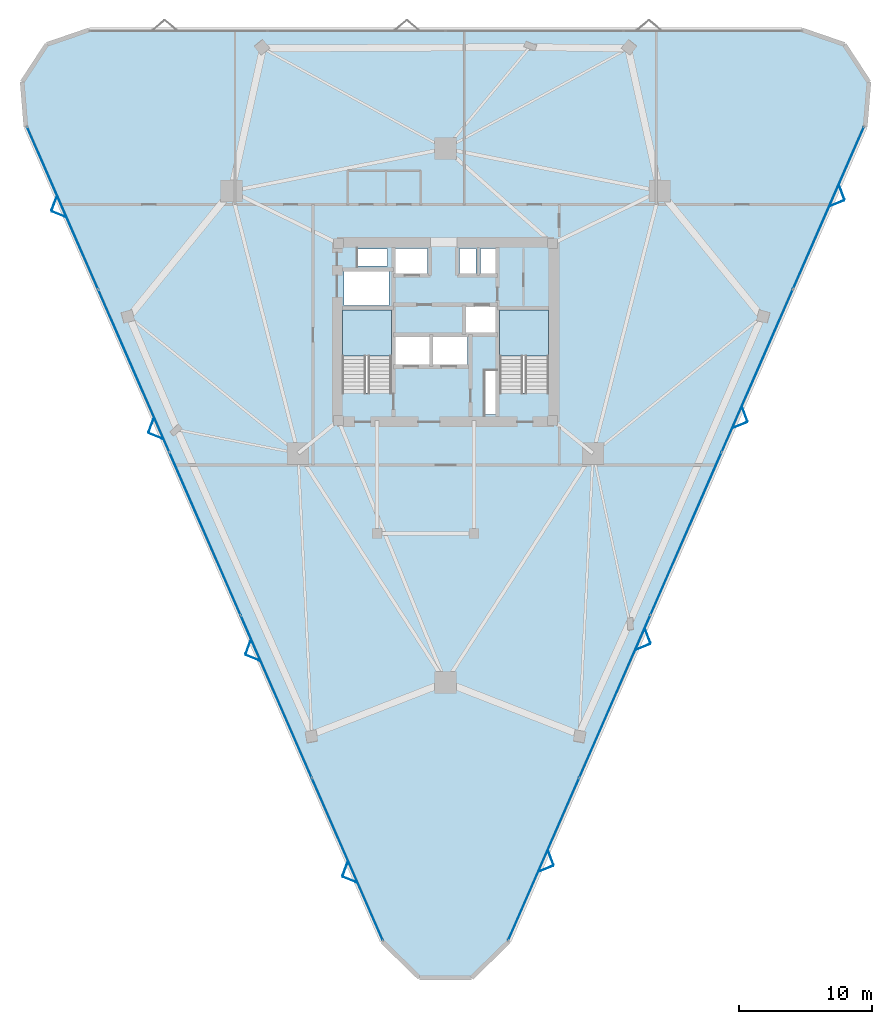
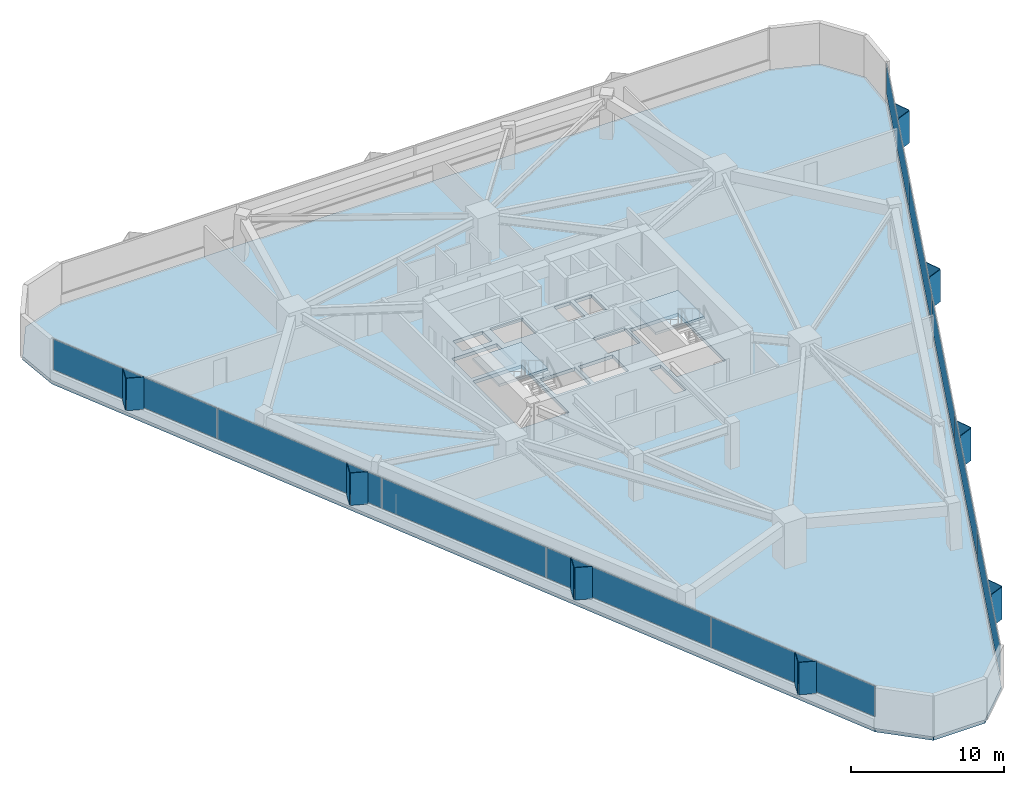
# One storey, part 13 of 19: 26 plates, 3 slabs, 4 elements without a shape of their own.
"""IFC4 building model written with IfcOpenShell, lengths in metres."""

from ifc_helpers import new_model, si_unit, direction, frame, origin, origin_2d, place, context, subcontext, project, spatial, polyline, rectangle, outline, extrude, material, layer, layer_set, type_object, element, aggregate, save


model = new_model("IFC4")

# Units and contexts
model_context = context("Model", 3, precision=1e-05, world=origin(), true_north=direction((0.0, 1.0)))
body_context = subcontext(model_context, "Body", "Model", "MODEL_VIEW")
ifc_project = project(units=[si_unit("LENGTHUNIT", "METRE"), si_unit("AREAUNIT", "SQUARE_METRE"), si_unit("VOLUMEUNIT", "CUBIC_METRE"), si_unit("PLANEANGLEUNIT", "RADIAN"), si_unit("MASSUNIT", "GRAM", prefix="KILO")], contexts=[model_context])

# Site, building, storey
site_placement = place(None, origin())
site = spatial("IfcSite", under=ifc_project, at=site_placement, CompositionType="ELEMENT")
building_placement = place(site_placement, origin())
building = spatial("IfcBuilding", under=site, at=building_placement, Name="Talyreon Biosciences Tower", CompositionType="ELEMENT")
storey_placement = place(building_placement, frame((0.0, 0.0, 85.949951171875)))
storey = spatial("IfcBuildingStorey", under=building, at=storey_placement, Name="L22", CompositionType="ELEMENT", Elevation=85.949951171875)

# Curtain wall, plates
ifc_material_1 = material(Name="Thermally broken aluminium and low-E glazing", Category="aluminium")
ifc_layer_1 = layer(ifc_material_1, 0.18994140625)
ifc_layer_set_1 = layer_set([ifc_layer_1], Name="Thermally broken aluminium and low-E glazing")
curtain_wall_type = type_object("IfcCurtainWallType", Name="CurtainWall_Zone2Genomics", PredefinedType="NOTDEFINED", material=ifc_layer_set_1)
curtain_wall_1_placement = place(storey_placement, origin())
curtain_wall_1 = element("IfcCurtainWall", 1, at=curtain_wall_1_placement, inside=storey, type_object=curtain_wall_type, Name="L22 Unitised Curtain Wall FCW-L22-00", PredefinedType="NOTDEFINED")
ifc_material_2 = material(Name="Triple-silver low-E insulated glazing", Category="glass")
ifc_layer_2 = layer(ifc_material_2, 0.031982421875)
ifc_layer_set_2 = layer_set([ifc_layer_2], Name="Triple-silver low-E insulated glazing")
plate_type_1 = type_object("IfcPlateType", Name="CWGlazingPanel_32", PredefinedType="CURTAIN_PANEL", material=ifc_layer_set_2)
plate_1_placement = place(storey_placement, frame((58.6240234375, 28.36279296875, 0.875), z_axis=(0.0, 0.0, 1.0), x_axis=(-0.400689421314, 0.916213942072, 0.0)))
plate_1 = element("IfcPlate", 2, at=plate_1_placement, type_object=plate_type_1, Name="CW3 panel 1.1", PredefinedType="CURTAIN_PANEL", context=body_context, shape_type="SweptSolid", body=[
    extrude(rectangle(XDim=13.271728515625, YDim=0.031982421875, at=origin_2d()), origin(), (0.0, 0.0, 1.0), 2.43505859375),
])
plate_2_placement = place(storey_placement, frame((53.273681640625, 40.596923828125, 0.875), z_axis=(0.0, 0.0, 1.0), x_axis=(-0.400689421314, 0.916213942072, 0.0)))
plate_2 = element("IfcPlate", 3, at=plate_2_placement, type_object=plate_type_1, Name="CW3 panel 2.1", PredefinedType="CURTAIN_PANEL", context=body_context, shape_type="SweptSolid", body=[
    extrude(rectangle(XDim=13.30419921875, YDim=0.031982421875, at=origin_2d()), origin(), (0.0, 0.0, 1.0), 2.43505859375),
])
plate_3_placement = place(storey_placement, frame((47.916748046875, 52.845947265625, 0.875), z_axis=(0.0, 0.0, 1.0), x_axis=(-0.400689421314, 0.916213942072, 0.0)))
plate_3 = element("IfcPlate", 4, at=plate_3_placement, type_object=plate_type_1, Name="CW3 panel 3.1", PredefinedType="CURTAIN_PANEL", context=body_context, shape_type="SweptSolid", body=[
    extrude(rectangle(XDim=13.30419921875, YDim=0.031982421875, at=origin_2d()), origin(), (0.0, 0.0, 1.0), 2.43505859375),
])
plate_4_placement = place(storey_placement, frame((42.559814453125, 65.09521484375, 0.875), z_axis=(0.0, 0.0, 1.0), x_axis=(-0.400689421314, 0.916213942072, 0.0)))
plate_4 = element("IfcPlate", 5, at=plate_4_placement, type_object=plate_type_1, Name="CW3 panel 4.1", PredefinedType="CURTAIN_PANEL", context=body_context, shape_type="SweptSolid", body=[
    extrude(rectangle(XDim=13.30419921875, YDim=0.031982421875, at=origin_2d()), origin(), (0.0, 0.0, 1.0), 2.43505859375),
])
plate_5_placement = place(storey_placement, frame((37.20947265625, 77.329345703125, 0.875), z_axis=(0.0, 0.0, 1.0), x_axis=(-0.400689421314, 0.916213942072, 0.0)))
plate_5 = element("IfcPlate", 6, at=plate_5_placement, type_object=plate_type_1, Name="CW3 panel 5.1", PredefinedType="CURTAIN_PANEL", context=body_context, shape_type="SweptSolid", body=[
    extrude(rectangle(XDim=13.271728515625, YDim=0.031982421875, at=origin_2d()), origin(), (0.0, 0.0, 1.0), 2.43505859375),
])
aggregate(curtain_wall_1, [plate_1, plate_2, plate_3, plate_4, plate_5])

curtain_wall_2_placement = place(storey_placement, origin())
curtain_wall_2 = element("IfcCurtainWall", 7, at=curtain_wall_2_placement, inside=storey, type_object=curtain_wall_type, Name="L22 Unitised Curtain Wall FCW-L22-08", PredefinedType="NOTDEFINED")
plate_6_placement = place(storey_placement, frame((94.79052734375, 77.329345703125, 0.875), z_axis=(0.0, 0.0, 1.0), x_axis=(-0.400689421314, -0.916213942072, 0.0)))
plate_6 = element("IfcPlate", 8, at=plate_6_placement, type_object=plate_type_1, Name="CW3 panel 1.1", PredefinedType="CURTAIN_PANEL", context=body_context, shape_type="SweptSolid", body=[
    extrude(rectangle(XDim=13.271728515625, YDim=0.031982421875, at=origin_2d()), origin(), (0.0, 0.0, 1.0), 2.43505859375),
])
plate_7_placement = place(storey_placement, frame((89.440185546875, 65.09521484375, 0.875), z_axis=(0.0, 0.0, 1.0), x_axis=(-0.400689421314, -0.916213942072, 0.0)))
plate_7 = element("IfcPlate", 9, at=plate_7_placement, type_object=plate_type_1, Name="CW3 panel 2.1", PredefinedType="CURTAIN_PANEL", context=body_context, shape_type="SweptSolid", body=[
    extrude(rectangle(XDim=13.30419921875, YDim=0.031982421875, at=origin_2d()), origin(), (0.0, 0.0, 1.0), 2.43505859375),
])
plate_8_placement = place(storey_placement, frame((84.083251953125, 52.845947265625, 0.875), z_axis=(0.0, 0.0, 1.0), x_axis=(-0.400689421314, -0.916213942072, 0.0)))
plate_8 = element("IfcPlate", 10, at=plate_8_placement, type_object=plate_type_1, Name="CW3 panel 3.1", PredefinedType="CURTAIN_PANEL", context=body_context, shape_type="SweptSolid", body=[
    extrude(rectangle(XDim=13.30419921875, YDim=0.031982421875, at=origin_2d()), origin(), (0.0, 0.0, 1.0), 2.43505859375),
])
plate_9_placement = place(storey_placement, frame((78.726318359375, 40.596923828125, 0.875), z_axis=(0.0, 0.0, 1.0), x_axis=(-0.400689421314, -0.916213942072, 0.0)))
plate_9 = element("IfcPlate", 11, at=plate_9_placement, type_object=plate_type_1, Name="CW3 panel 4.1", PredefinedType="CURTAIN_PANEL", context=body_context, shape_type="SweptSolid", body=[
    extrude(rectangle(XDim=13.30419921875, YDim=0.031982421875, at=origin_2d()), origin(), (0.0, 0.0, 1.0), 2.43505859375),
])
plate_10_placement = place(storey_placement, frame((73.3759765625, 28.36279296875, 0.875), z_axis=(0.0, 0.0, 1.0), x_axis=(-0.400689421314, -0.916213942072, 0.0)))
plate_10 = element("IfcPlate", 12, at=plate_10_placement, type_object=plate_type_1, Name="CW3 panel 5.1", PredefinedType="CURTAIN_PANEL", context=body_context, shape_type="SweptSolid", body=[
    extrude(rectangle(XDim=13.271728515625, YDim=0.031982421875, at=origin_2d()), origin(), (0.0, 0.0, 1.0), 2.43505859375),
])
aggregate(curtain_wall_2, [plate_6, plate_7, plate_8, plate_9, plate_10])

# Plates
ifc_material_3 = material(Name="Ivory GFRC sunshade panel", Category="concrete")
ifc_layer_3 = layer(ifc_material_3, 0.044921875)
ifc_layer_set_3 = layer_set([ifc_layer_3], Name="Ivory GFRC sunshade panel")
plate_type_2 = type_object("IfcPlateType", Name="FoldedVSunshade_SunFace_SUNSHADE", PredefinedType="USERDEFINED", material=ifc_layer_set_3)
for number, where, z_axis, x_axis, name in (
    (13, (58.814208984375, 26.82958984375, 0.7900390625), (0.0, 0.0, 1.0), (-0.924685641097, 0.380731486942, 0.0), "L22 Folded V-Sunshade Panel 00.01L"),
    (14, (58.45361328125, 27.654296875, 0.7900390625), (0.0, 0.0, 1.0), (0.348228492125, 0.937409684862, 0.0), "L22 Folded V-Sunshade Panel 00.01R"),
    (15, (51.521728515625, 43.504638671875, 0.7900390625), (0.0, 0.0, 1.0), (-0.924685641097, 0.380731486942, 0.0), "L22 Folded V-Sunshade Panel 00.02L"),
    (16, (51.1611328125, 44.329345703125, 0.7900390625), (0.0, 0.0, 1.0), (0.348228492125, 0.937409684862, 0.0), "L22 Folded V-Sunshade Panel 00.02R"),
    (17, (44.229248046875, 60.1796875, 0.7900390625), (0.0, 0.0, 1.0), (-0.924685641097, 0.380731486942, 0.0), "L22 Folded V-Sunshade Panel 00.03L"),
    (18, (43.868408203125, 61.00439453125, 0.7900390625), (0.0, 0.0, 1.0), (0.348228492125, 0.937409684862, 0.0), "L22 Folded V-Sunshade Panel 00.03R"),
    (19, (36.9365234375, 76.85498046875, 0.7900390625), (0.0, 0.0, 1.0), (-0.924685641097, 0.380731486942, 0.0), "L22 Folded V-Sunshade Panel 00.04L"),
    (20, (36.575927734375, 77.679443359375, 0.7900390625), (0.0, 0.0, 1.0), (0.348228492125, 0.937409684862, 0.0), "L22 Folded V-Sunshade Panel 00.04R"),
    (21, (95.787109375, 78.509765625, 0.7900390625), (0.0, 0.0, 1.0), (0.348228492125, -0.937409684862, 0.0), "L22 Folded V-Sunshade Panel 08.01L"),
    (22, (95.426513671875, 77.685302734375, 0.7900390625), (0.0, 0.0, 1.0), (-0.924685641097, -0.380731486942, 0.0), "L22 Folded V-Sunshade Panel 08.01R"),
    (23, (88.49462890625, 61.834716796875, 0.7900390625), (0.0, 0.0, 1.0), (0.348228492125, -0.937409684862, 0.0), "L22 Folded V-Sunshade Panel 08.02L"),
    (24, (88.134033203125, 61.010009765625, 0.7900390625), (0.0, 0.0, 1.0), (-0.924685641097, -0.380731486942, 0.0), "L22 Folded V-Sunshade Panel 08.02R"),
    (25, (81.201904296875, 45.15966796875, 0.7900390625), (0.0, 0.0, 1.0), (0.348228492125, -0.937409684862, 0.0), "L22 Folded V-Sunshade Panel 08.03L"),
    (26, (80.84130859375, 44.3349609375, 0.7900390625), (0.0, 0.0, 1.0), (-0.924685641097, -0.380731486942, 0.0), "L22 Folded V-Sunshade Panel 08.03R"),
    (27, (73.909423828125, 28.484619140625, 0.7900390625), (0.0, 0.0, 1.0), (0.348228492125, -0.937409684862, 0.0), "L22 Folded V-Sunshade Panel 08.04L"),
    (28, (73.548828125, 27.659912109375, 0.7900390625), (0.0, 0.0, 1.0), (-0.924685641097, -0.380731486942, 0.0), "L22 Folded V-Sunshade Panel 08.04R"),
):
    element("IfcPlate", number, at=place(storey_placement, frame(where, z_axis=z_axis, x_axis=x_axis)), inside=storey, type_object=plate_type_2, Name=name, ObjectType="SUNSHADE", PredefinedType="USERDEFINED", context=body_context, shape_type="SweptSolid", body=[
        extrude(rectangle(XDim=1.14990234375, YDim=0.044921875, at=origin_2d()), origin(), (0.0, 0.0, 1.0), 2.5849609375),
    ])

# Stair, slab
ifc_material_4 = material(Name="Concrete C40/50", Category="concrete")
stair_type = type_object("IfcStairType", Name="DoglegEscapeStair_3650", PredefinedType="HALF_TURN_STAIR", material=ifc_material_4)
stair_1_placement = place(storey_placement, origin())
stair_1 = element("IfcStair", 29, at=stair_1_placement, inside=storey, type_object=stair_type, Name="L22 Core Escape Stair 1", PredefinedType="HALF_TURN_STAIR")
ifc_layer_4 = layer(ifc_material_4, 0.199951171875)
ifc_layer_set_4 = layer_set([ifc_layer_4], Name="Concrete C40/50")
slab_type_1 = type_object("IfcSlabType", Name="StairLandingSlab_200", PredefinedType="LANDING", material=ifc_layer_set_4)
slab_1_placement = place(storey_placement, frame((0.0, 0.0, 1.625)))
slab_1 = element("IfcSlab", 30, at=slab_1_placement, type_object=slab_type_1, Name="ST-1 landing 1", PredefinedType="LANDING", context=body_context, shape_type="SweptSolid", body=[
    extrude(outline(polyline([(61.929931640625, 66.199951171875), (61.929931640625, 69.64990234375), (58.25, 69.64990234375), (58.25, 66.199951171875), (61.929931640625, 66.199951171875)])), origin(), (0.0, 0.0, 1.0), 0.199951171875),
])
aggregate(stair_1, [slab_1])

stair_2_placement = place(storey_placement, origin())
stair_2 = element("IfcStair", 31, at=stair_2_placement, inside=storey, type_object=stair_type, Name="L22 Core Escape Stair 2", PredefinedType="HALF_TURN_STAIR")
slab_2_placement = place(storey_placement, frame((0.0, 0.0, 1.625)))
slab_2 = element("IfcSlab", 32, at=slab_2_placement, type_object=slab_type_1, Name="ST-2 landing 1", PredefinedType="LANDING", context=body_context, shape_type="SweptSolid", body=[
    extrude(outline(polyline([(73.75, 66.199951171875), (73.75, 69.64990234375), (70.070068359375, 69.64990234375), (70.070068359375, 66.199951171875), (73.75, 66.199951171875)])), origin(), (0.0, 0.0, 1.0), 0.199951171875),
])
aggregate(stair_2, [slab_2])

# Slab
ifc_layer_5 = layer(ifc_material_4, 0.27490234375)
ifc_layer_set_5 = layer_set([ifc_layer_5], Name="Concrete C40/50")
slab_type_2 = type_object("IfcSlabType", Name="WetLabFloorSlab_275", PredefinedType="FLOOR", material=ifc_layer_set_5)
slab_3_placement = place(storey_placement, frame((0.0, 0.0, -0.27490234375)))
element("IfcSlab", 33, at=slab_3_placement, inside=storey, type_object=slab_type_2, Name="L22 Structural Floor Slab", PredefinedType="FLOOR", context=body_context, shape_type="SweptSolid", body=[
    extrude(outline(polyline([(61.235595703125, 22.191162109375), (34.451171875, 83.436767578125), (34.175537109375, 86.800537109375), (36.02294921875, 89.625), (39.21533203125, 90.72021484375), (92.78466796875, 90.72021484375), (95.97705078125, 89.625), (97.824462890625, 86.800537109375), (97.548828125, 83.436767578125), (70.764404296875, 22.191162109375), (67.95849609375, 19.457763671875), (64.04150390625, 19.457763671875), (61.235595703125, 22.191162109375)]), holes=[polyline([(61.929931640625, 69.64990234375), (61.929931640625, 63.407958984375), (58.25, 63.407958984375), (58.25, 69.64990234375), (61.929931640625, 69.64990234375)]), polyline([(64.800048828125, 67.64990234375), (64.800048828125, 65.550048828125), (62.199951171875, 65.550048828125), (62.199951171875, 67.64990234375), (64.800048828125, 67.64990234375)]), polyline([(67.64990234375, 67.64990234375), (67.64990234375, 65.550048828125), (65.050048828125, 65.550048828125), (65.050048828125, 67.64990234375), (67.64990234375, 67.64990234375)]), polyline([(61.75, 69.97998046875), (58.35009765625, 69.97998046875), (58.35009765625, 72.550048828125), (61.75, 72.550048828125), (61.75, 69.97998046875)]), polyline([(64.64990234375, 72.35009765625), (62.199951171875, 72.35009765625), (62.199951171875, 74.300048828125), (64.64990234375, 74.300048828125), (64.64990234375, 72.35009765625)]), polyline([(61.64990234375, 74.25), (61.64990234375, 72.9599609375), (59.39990234375, 72.9599609375), (59.39990234375, 74.25), (61.64990234375, 74.25)]), polyline([(69.820068359375, 61.800048828125), (68.9599609375, 61.800048828125), (68.9599609375, 65.10009765625), (69.820068359375, 65.10009765625), (69.820068359375, 61.800048828125)]), polyline([(73.75, 63.407958984375), (70.070068359375, 63.407958984375), (70.070068359375, 69.64990234375), (73.75, 69.64990234375), (73.75, 63.407958984375)]), polyline([(69.89990234375, 69.949951171875), (69.89990234375, 67.949951171875), (67.5, 67.949951171875), (67.5, 69.949951171875), (69.89990234375, 69.949951171875)]), polyline([(68.300048828125, 72.35009765625), (67.050048828125, 72.35009765625), (67.050048828125, 74.300048828125), (68.300048828125, 74.300048828125), (68.300048828125, 72.35009765625)]), polyline([(69.919921875, 72.35009765625), (68.6201171875, 72.35009765625), (68.6201171875, 74.300048828125), (69.919921875, 74.300048828125), (69.919921875, 72.35009765625)])]), origin(), (0.0, 0.0, 1.0), 0.27490234375),
])

save(model, "model.ifc")
